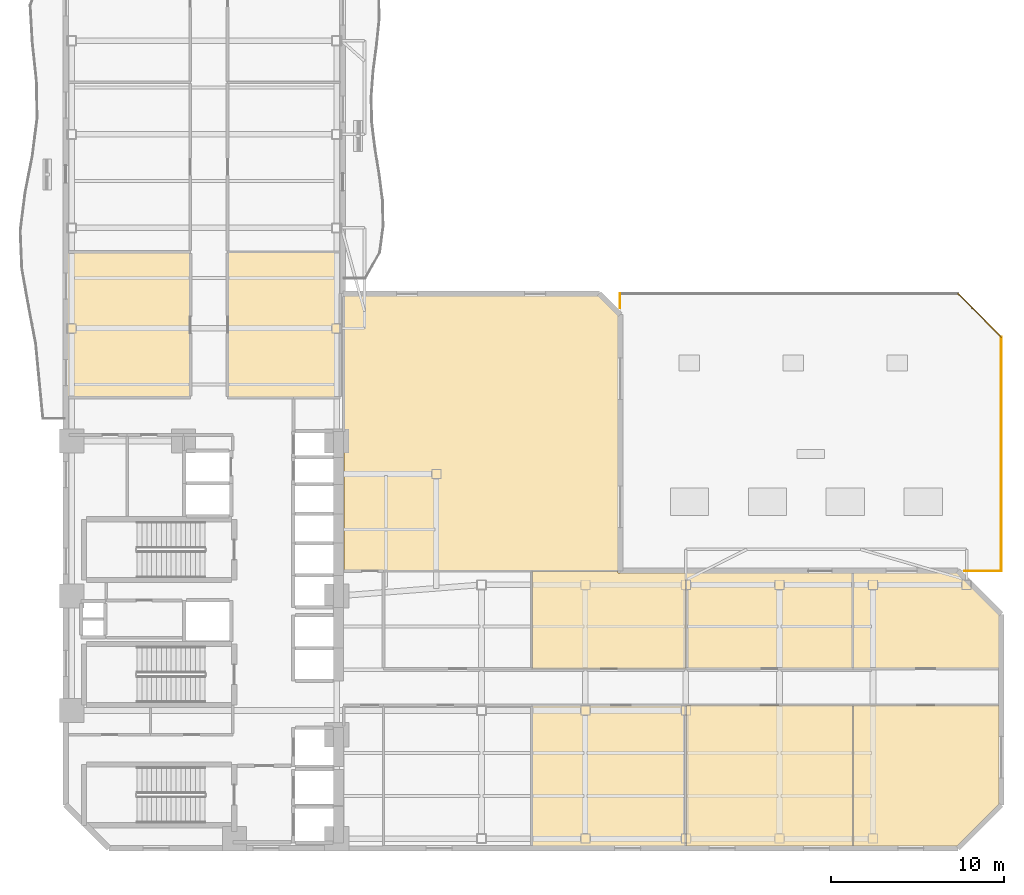
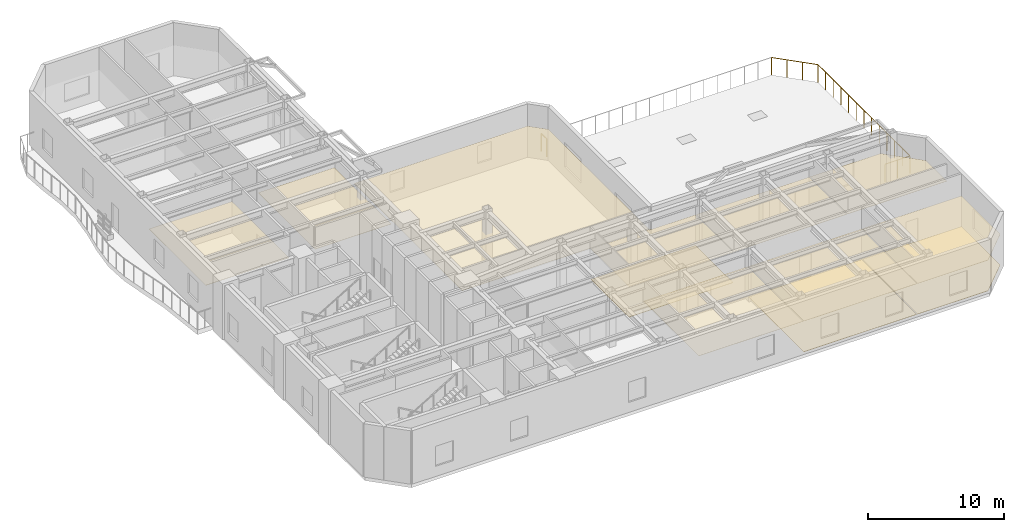
# One storey, part 9 of 10: 12 coverings, 4 railings.
"""IFC4 building model written with IfcOpenShell, lengths in metres."""

from ifc_helpers import new_model, si_unit, direction, frame, origin, origin_2d, place, context, subcontext, project, spatial, polyline, rectangle, outline, extrude, material, layer, layer_set, type_object, element, save


model = new_model("IFC4")

# Units and contexts
model_context = context("Model", 3, precision=1e-05, world=origin(), true_north=direction((0.0, 1.0)))
body_context = subcontext(model_context, "Body", "Model", "MODEL_VIEW")
ifc_project = project(units=[si_unit("LENGTHUNIT", "METRE"), si_unit("AREAUNIT", "SQUARE_METRE"), si_unit("VOLUMEUNIT", "CUBIC_METRE"), si_unit("PLANEANGLEUNIT", "RADIAN"), si_unit("MASSUNIT", "GRAM", prefix="KILO")], contexts=[model_context])

# Site, building, storey
site_placement = place(None, origin())
site = spatial("IfcSite", under=ifc_project, at=site_placement, CompositionType="ELEMENT")
building_placement = place(site_placement, origin())
building = spatial("IfcBuilding", under=site, at=building_placement, Name="Mawjaban Terraces University", CompositionType="ELEMENT")
storey_placement = place(building_placement, frame((0.0, 0.0, 26.0)))
storey = spatial("IfcBuildingStorey", under=building, at=storey_placement, Name="L05", CompositionType="ELEMENT", Elevation=26.0)

# Coverings
ifc_material_1 = material(Name="Acoustic mineral fibre ceiling tile", Category="masonry")
ifc_layer_1 = layer(ifc_material_1, 0.02001953125)
ifc_layer_set_1 = layer_set([ifc_layer_1], Name="Acoustic mineral fibre ceiling tile")
covering_type_1 = type_object("IfcCoveringType", Name="AcousticMineralCeiling_20", PredefinedType="CEILING", material=ifc_layer_set_1)
covering_1_placement = place(storey_placement, frame((0.0, 0.0, 2.75)))
element("IfcCovering", 1, at=covering_1_placement, inside=storey, type_object=covering_type_1, Name="L05 Teaching Laboratory 4 Acoustic Ceiling", PredefinedType="CEILING", context=body_context, shape_type="SweptSolid", body=[
    extrude(outline(polyline([(48.93603515625, 0.114990234375), (57.77001953125, 0.114990234375), (57.77001953125, 8.219970703125), (48.93603515625, 8.219970703125), (48.93603515625, 0.114990234375)])), origin(), (0.0, 0.0, 1.0), 0.02001953125),
])
covering_2_placement = place(storey_placement, frame((0.0, 0.0, 2.75)))
element("IfcCovering", 2, at=covering_2_placement, inside=storey, type_object=covering_type_1, Name="L05 Seminar Room 5 Acoustic Ceiling", PredefinedType="CEILING", context=body_context, shape_type="SweptSolid", body=[
    extrude(outline(polyline([(57.77001953125, 15.885009765625), (53.885009765625, 15.885009765625), (53.885009765625, 15.969970703125), (48.93603515625, 15.969970703125), (48.93603515625, 10.3798828125), (57.77001953125, 10.3798828125), (57.77001953125, 15.885009765625)])), origin(), (0.0, 0.0, 1.0), 0.02001953125),
])
covering_3_placement = place(storey_placement, frame((0.0, 0.0, 2.75)))
element("IfcCovering", 3, at=covering_3_placement, inside=storey, type_object=covering_type_1, Name="L05 Classroom 6 Acoustic Ceiling", PredefinedType="CEILING", context=body_context, shape_type="SweptSolid", body=[
    extrude(outline(polyline([(57.830078125, 0.114990234375), (67.4140625, 0.114990234375), (67.4140625, 8.219970703125), (57.830078125, 8.219970703125), (57.830078125, 0.114990234375)])), origin(), (0.0, 0.0, 1.0), 0.02001953125),
])
covering_4_placement = place(storey_placement, frame((0.0, 0.0, 2.75)))
element("IfcCovering", 4, at=covering_4_placement, inside=storey, type_object=covering_type_1, Name="L05 Faculty Office 7 Acoustic Ceiling", PredefinedType="CEILING", context=body_context, shape_type="SweptSolid", body=[
    extrude(outline(polyline([(67.4140625, 15.885009765625), (57.830078125, 15.885009765625), (57.830078125, 10.3798828125), (67.4140625, 10.3798828125), (67.4140625, 15.885009765625)])), origin(), (0.0, 0.0, 1.0), 0.02001953125),
])
covering_5_placement = place(storey_placement, frame((0.0, 0.0, 2.75)))
element("IfcCovering", 5, at=covering_5_placement, inside=storey, type_object=covering_type_1, Name="L05 Classroom 8 Acoustic Ceiling", PredefinedType="CEILING", context=body_context, shape_type="SweptSolid", body=[
    extrude(outline(polyline([(67.47412109375, 0.114990234375), (73.452880859375, 0.114990234375), (75.885009765625, 2.547119140625), (75.885009765625, 8.219970703125), (67.47412109375, 8.219970703125), (67.47412109375, 0.114990234375)])), origin(), (0.0, 0.0, 1.0), 0.02001953125),
])
covering_6_placement = place(storey_placement, frame((0.0, 0.0, 2.75)))
element("IfcCovering", 6, at=covering_6_placement, inside=storey, type_object=covering_type_1, Name="L05 Computational Laboratory 9 Acoustic Ceiling", PredefinedType="CEILING", context=body_context, shape_type="SweptSolid", body=[
    extrude(outline(polyline([(75.885009765625, 10.3798828125), (75.885009765625, 13.452880859375), (73.452880859375, 15.885009765625), (67.47412109375, 15.885009765625), (67.47412109375, 10.3798828125), (75.885009765625, 10.3798828125)])), origin(), (0.0, 0.0, 1.0), 0.02001953125),
])
covering_7_placement = place(storey_placement, frame((0.0, 0.0, 2.75)))
element("IfcCovering", 7, at=covering_7_placement, inside=storey, type_object=covering_type_1, Name="L05 Design Studio 10 Acoustic Ceiling", PredefinedType="CEILING", context=body_context, shape_type="SweptSolid", body=[
    extrude(outline(polyline([(22.114990234375, 34.3701171875), (22.114990234375, 26.030029296875), (29.169921875, 26.030029296875), (29.169921875, 34.3701171875), (22.114990234375, 34.3701171875)])), origin(), (0.0, 0.0, 1.0), 0.02001953125),
])
covering_8_placement = place(storey_placement, frame((0.0, 0.0, 2.75)))
element("IfcCovering", 8, at=covering_8_placement, inside=storey, type_object=covering_type_1, Name="L05 Faculty Office 11 Acoustic Ceiling", PredefinedType="CEILING", context=body_context, shape_type="SweptSolid", body=[
    extrude(outline(polyline([(37.820068359375, 26.030029296875), (37.820068359375, 34.3701171875), (31.3798828125, 34.3701171875), (31.3798828125, 26.030029296875), (37.820068359375, 26.030029296875)])), origin(), (0.0, 0.0, 1.0), 0.02001953125),
])
covering_9_placement = place(storey_placement, frame((0.0, 0.0, 2.75)))
element("IfcCovering", 9, at=covering_9_placement, inside=storey, type_object=covering_type_1, Name="L05 Terrace Collaborative Study Room Acoustic Ceiling", PredefinedType="CEILING", context=body_context, shape_type="SweptSolid", body=[
    extrude(outline(polyline([(53.885009765625, 16.030029296875), (53.885009765625, 30.7529296875), (52.7529296875, 31.885009765625), (38.080078125, 31.885009765625), (38.080078125, 16.030029296875), (53.885009765625, 16.030029296875)])), origin(), (0.0, 0.0, 1.0), 0.02001953125),
])

# Railings
ifc_material_2 = material(Name="Galvanised powder-coated steel S355", Category="steel")
railing_type = type_object("IfcRailingType", Name="BalconyBalustrade_1600", PredefinedType="BALUSTRADE", material=ifc_material_2)
railing_1_placement = place(storey_placement, frame((73.89599609375, 16.0, 0.0)))
element("IfcRailing", 10, at=railing_1_placement, inside=storey, type_object=railing_type, Name="L05 Terrace Guardrail TER-L05-POD.1", PredefinedType="BALUSTRADE", context=body_context, shape_type="SweptSolid", body=[
    extrude(rectangle(XDim=0.048095703125, YDim=0.048095703125, at=origin_2d()), frame((0.0, 0.0, 1.576171875), z_axis=(1.0, 0.0, 0.0), x_axis=(0.0, 1.0, 0.0)), (0.0, 0.0, 1.0), 2.10400390625),
    extrude(rectangle(XDim=0.0419921875, YDim=0.0419921875, at=origin_2d()), origin(), (0.0, 0.0, 1.0), 1.552001953125),
    extrude(rectangle(XDim=0.0419921875, YDim=0.0419921875, at=origin_2d()), frame((1.052001953125, 0.0, 0.0)), (0.0, 0.0, 1.0), 1.552001953125),
    extrude(rectangle(XDim=0.0419921875, YDim=0.0419921875, at=origin_2d()), frame((2.10400390625, 0.0, 0.0)), (0.0, 0.0, 1.0), 1.552001953125),
])
railing_2_placement = place(storey_placement, frame((76.0, 16.0, 0.0)))
element("IfcRailing", 11, at=railing_2_placement, inside=storey, type_object=railing_type, Name="L05 Terrace Guardrail TER-L05-POD.2", PredefinedType="BALUSTRADE", context=body_context, shape_type="SweptSolid", body=[
    extrude(rectangle(XDim=0.048095703125, YDim=0.048095703125, at=origin_2d()), frame((0.0, 0.0, 1.576171875), z_axis=(0.0, 1.0, 0.0), x_axis=(-1.0, 0.0, 0.0)), (0.0, 0.0, 1.0), 13.5),
    extrude(rectangle(XDim=0.0419921875, YDim=0.0419921875, at=origin_2d()), origin(), (0.0, 0.0, 1.0), 1.552001953125),
    extrude(rectangle(XDim=0.0419921875, YDim=0.0419921875, at=origin_2d()), frame((0.0, 1.125, 0.0)), (0.0, 0.0, 1.0), 1.552001953125),
    extrude(rectangle(XDim=0.0419921875, YDim=0.0419921875, at=origin_2d()), frame((0.0, 2.25, 0.0)), (0.0, 0.0, 1.0), 1.552001953125),
    extrude(rectangle(XDim=0.0419921875, YDim=0.0419921875, at=origin_2d()), frame((0.0, 3.375, 0.0)), (0.0, 0.0, 1.0), 1.552001953125),
    extrude(rectangle(XDim=0.0419921875, YDim=0.0419921875, at=origin_2d()), frame((0.0, 4.5, 0.0)), (0.0, 0.0, 1.0), 1.552001953125),
    extrude(rectangle(XDim=0.0419921875, YDim=0.0419921875, at=origin_2d()), frame((0.0, 5.625, 0.0)), (0.0, 0.0, 1.0), 1.552001953125),
    extrude(rectangle(XDim=0.0419921875, YDim=0.0419921875, at=origin_2d()), frame((0.0, 6.75, 0.0)), (0.0, 0.0, 1.0), 1.552001953125),
    extrude(rectangle(XDim=0.0419921875, YDim=0.0419921875, at=origin_2d()), frame((0.0, 7.875, 0.0)), (0.0, 0.0, 1.0), 1.552001953125),
    extrude(rectangle(XDim=0.0419921875, YDim=0.0419921875, at=origin_2d()), frame((0.0, 9.0, 0.0)), (0.0, 0.0, 1.0), 1.552001953125),
    extrude(rectangle(XDim=0.0419921875, YDim=0.0419921875, at=origin_2d()), frame((0.0, 10.125, 0.0)), (0.0, 0.0, 1.0), 1.552001953125),
    extrude(rectangle(XDim=0.0419921875, YDim=0.0419921875, at=origin_2d()), frame((0.0, 11.25, 0.0)), (0.0, 0.0, 1.0), 1.552001953125),
    extrude(rectangle(XDim=0.0419921875, YDim=0.0419921875, at=origin_2d()), frame((0.0, 12.375, 0.0)), (0.0, 0.0, 1.0), 1.552001953125),
    extrude(rectangle(XDim=0.0419921875, YDim=0.0419921875, at=origin_2d()), frame((0.0, 13.5, 0.0)), (0.0, 0.0, 1.0), 1.552001953125),
])
railing_3_placement = place(storey_placement, frame((76.0, 29.5, 0.0)))
element("IfcRailing", 12, at=railing_3_placement, inside=storey, type_object=railing_type, Name="L05 Terrace Guardrail TER-L05-POD.3", PredefinedType="BALUSTRADE", context=body_context, shape_type="SweptSolid", body=[
    extrude(rectangle(XDim=0.048095703125, YDim=0.048095703125, at=origin_2d()), frame((0.0, 0.0, 1.576171875), z_axis=(-0.707106781187, 0.707106781187, 0.0), x_axis=(-0.707106781187, -0.707106781187, 0.0)), (0.0, 0.0, 1.0), 3.53564453125),
    extrude(rectangle(XDim=0.0419921875, YDim=0.0419921875, at=origin_2d()), origin(), (0.0, 0.0, 1.0), 1.552001953125),
    extrude(rectangle(XDim=0.0419921875, YDim=0.0419921875, at=origin_2d()), frame((-0.833251953125, 0.833251953125, 0.0)), (0.0, 0.0, 1.0), 1.552001953125),
    extrude(rectangle(XDim=0.0419921875, YDim=0.0419921875, at=origin_2d()), frame((-1.666748046875, 1.666748046875, 0.0)), (0.0, 0.0, 1.0), 1.552001953125),
    extrude(rectangle(XDim=0.0419921875, YDim=0.0419921875, at=origin_2d()), frame((-2.5, 2.5, 0.0)), (0.0, 0.0, 1.0), 1.552001953125),
])
railing_4_placement = place(storey_placement, frame((54.0, 32.0, 0.0)))
element("IfcRailing", 13, at=railing_4_placement, inside=storey, type_object=railing_type, Name="L05 Terrace Guardrail TER-L05-POD.5", PredefinedType="BALUSTRADE", context=body_context, shape_type="SweptSolid", body=[
    extrude(rectangle(XDim=0.048095703125, YDim=0.048095703125, at=origin_2d()), frame((0.0, 0.0, 1.576171875), z_axis=(0.0, -1.0, 0.0), x_axis=(1.0, 0.0, 0.0)), (0.0, 0.0, 1.0), 0.803955078125),
    extrude(rectangle(XDim=0.0419921875, YDim=0.0419921875, at=origin_2d()), origin(), (0.0, 0.0, 1.0), 1.552001953125),
    extrude(rectangle(XDim=0.0419921875, YDim=0.0419921875, at=origin_2d()), frame((0.0, -0.803955078125, 0.0)), (0.0, 0.0, 1.0), 1.552001953125),
])

# Coverings
ifc_material_3 = material(Name="Polished Hijazi granite terrazzo flooring", Category="masonry")
ifc_layer_2 = layer(ifc_material_3, 0.02490234375)
ifc_layer_set_2 = layer_set([ifc_layer_2], Name="Polished Hijazi granite terrazzo flooring")
covering_type_2 = type_object("IfcCoveringType", Name="TerrazzoConcourseFlooring_25", PredefinedType="FLOORING", material=ifc_layer_set_2)
covering_10_placement = place(storey_placement, origin())
element("IfcCovering", 14, at=covering_10_placement, inside=storey, type_object=covering_type_2, Name="L05 Seminar Room 5 Terrazzo Flooring", PredefinedType="FLOORING", context=body_context, shape_type="SweptSolid", body=[
    extrude(outline(polyline([(57.77001953125, 15.885009765625), (53.885009765625, 15.885009765625), (53.885009765625, 15.969970703125), (48.93603515625, 15.969970703125), (48.93603515625, 10.3798828125), (57.77001953125, 10.3798828125), (57.77001953125, 15.885009765625)])), origin(), (0.0, 0.0, 1.0), 0.02490234375),
])
covering_11_placement = place(storey_placement, origin())
element("IfcCovering", 15, at=covering_11_placement, inside=storey, type_object=covering_type_2, Name="L05 Classroom 6 Terrazzo Flooring", PredefinedType="FLOORING", context=body_context, shape_type="SweptSolid", body=[
    extrude(outline(polyline([(57.830078125, 0.114990234375), (67.4140625, 0.114990234375), (67.4140625, 8.219970703125), (57.830078125, 8.219970703125), (57.830078125, 0.114990234375)])), origin(), (0.0, 0.0, 1.0), 0.02490234375),
])
covering_12_placement = place(storey_placement, origin())
element("IfcCovering", 16, at=covering_12_placement, inside=storey, type_object=covering_type_2, Name="L05 Classroom 8 Terrazzo Flooring", PredefinedType="FLOORING", context=body_context, shape_type="SweptSolid", body=[
    extrude(outline(polyline([(67.47412109375, 0.114990234375), (73.452880859375, 0.114990234375), (75.885009765625, 2.547119140625), (75.885009765625, 8.219970703125), (67.47412109375, 8.219970703125), (67.47412109375, 0.114990234375)])), origin(), (0.0, 0.0, 1.0), 0.02490234375),
])

save(model, "model.ifc")
